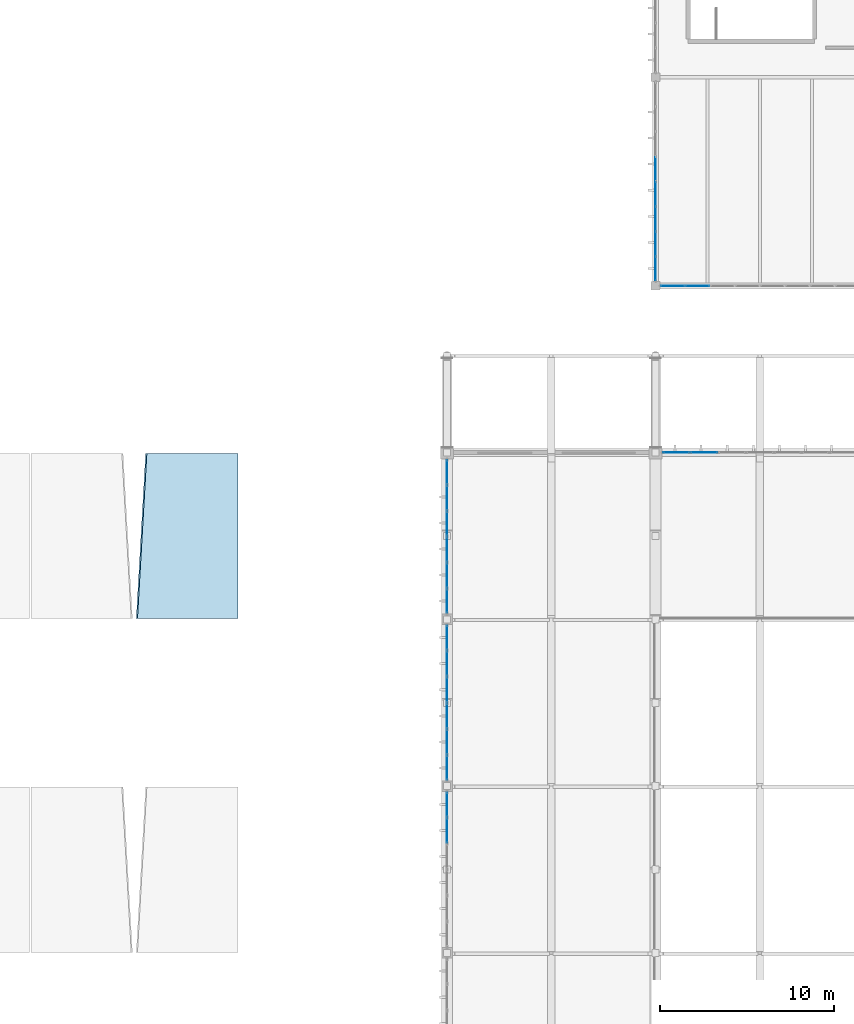
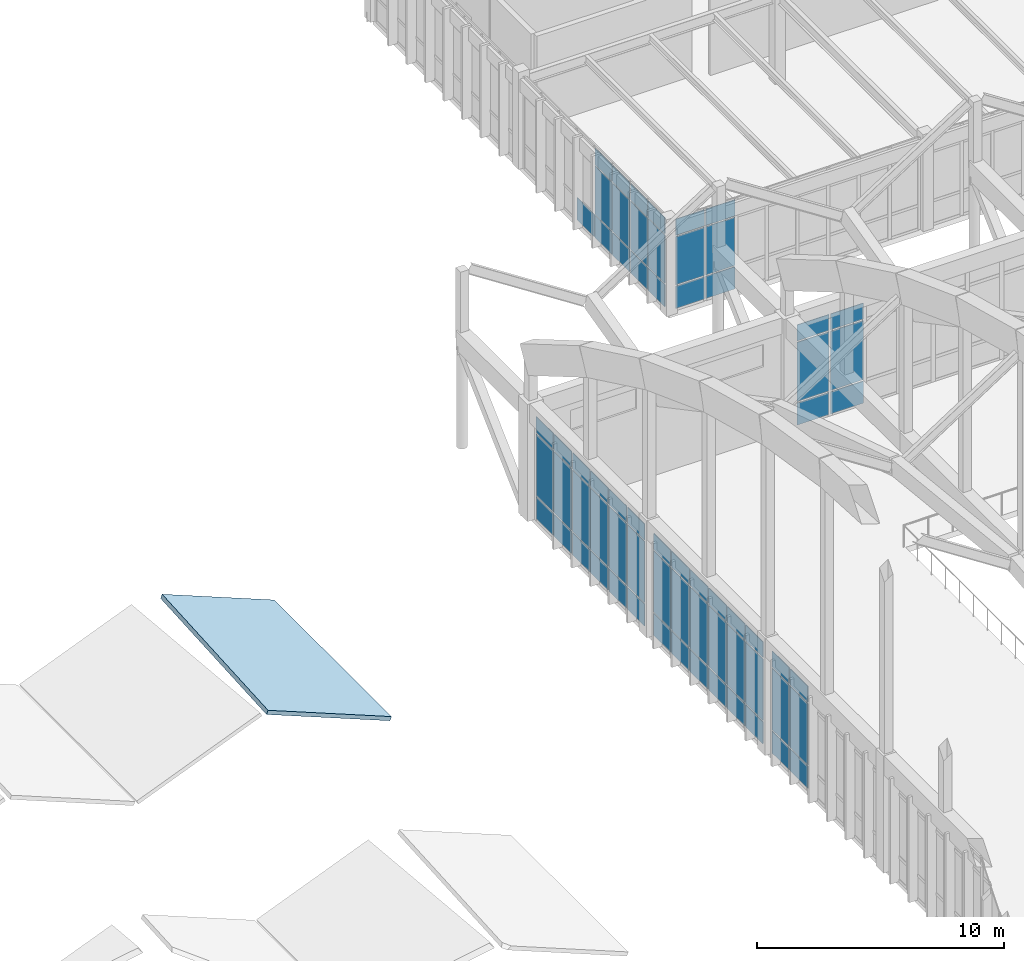
# One storey, part 193 of 236: 67 plates, 1 slab, 6 elements without a shape of their own.
"""IFC4 building model written with IfcOpenShell, lengths in metres."""

import ifcopenshell
import ifcopenshell.guid

model = None  # the IFC model being written
_history = None  # IfcOwnerHistory: only IFC2X3 demands one
_inside = {}  # id of a spatial element -> (the spatial element, [elements in it])
_under = {}  # id of a project, library or spatial element -> (it, [spatial elements below it])
_declared = {}  # id of a project -> (the project, [libraries it declares])
_typed = {}  # id of a type object -> (the type object, [elements of that type])
_made_of = {}  # id of a material, layer set ... -> (it, [elements and type objects made of it])


def new_model(schema):
    """Start an empty IFC model of exactly this schema.

    Asked for "IFC4X3", IfcOpenShell would pick the latest addendum, in which some entities
    have other attributes; the version numbers below select the first issue.
    IFC2X3 requires an IfcOwnerHistory on every rooted entity: one is made here for all.
    """
    global model, _history
    if schema == "IFC4X3":
        model = ifcopenshell.file(schema_version=(4, 3, 0, 0))
    else:
        model = ifcopenshell.file(schema=schema)
    _inside.clear()
    _under.clear()
    _declared.clear()
    _typed.clear()
    _made_of.clear()
    _history = None
    if model.schema == "IFC2X3":
        org = make("IfcOrganization", Name="unknown")
        user = make(
            "IfcPersonAndOrganization",
            ThePerson=make("IfcPerson", FamilyName="unknown"),
            TheOrganization=org,
        )
        app = make(
            "IfcApplication",
            ApplicationDeveloper=org,
            Version="unknown",
            ApplicationFullName="unknown",
            ApplicationIdentifier="unknown",
        )
        _history = make(
            "IfcOwnerHistory",
            OwningUser=user,
            OwningApplication=app,
            ChangeAction="ADDED",
            CreationDate=0,
        )
    return model


def make(cls, **values):
    """One entity of the class cls with the attributes given. An attribute that is None is left unset."""
    return model.create_entity(
        cls, **{name: value for name, value in values.items() if value is not None}
    )


def rooted(cls, **values):
    """An entity with a GlobalId (a new one), such as an element, a storey or a relation."""
    return make(cls, GlobalId=ifcopenshell.guid.new(), OwnerHistory=_history, **values)


def si_unit(unit_type, name, prefix=None):
    """IfcSIUnit, for example si_unit("LENGTHUNIT", "METRE", prefix="MILLI")."""
    return make("IfcSIUnit", UnitType=unit_type, Prefix=prefix, Name=name)


def assignment(units):
    """IfcUnitAssignment: the units of a project."""
    return None if units is None else make("IfcUnitAssignment", Units=units)


def point(xyz):
    """IfcCartesianPoint."""
    return None if xyz is None else make("IfcCartesianPoint", Coordinates=xyz)


def direction(xyz):
    """IfcDirection."""
    return None if xyz is None else make("IfcDirection", DirectionRatios=xyz)


def frame(location, z_axis=None, x_axis=None):
    """IfcAxis2Placement3D, a coordinate frame: its origin and axes. An axis left out is left unset."""
    return make(
        "IfcAxis2Placement3D",
        Location=point(location),
        Axis=direction(z_axis),
        RefDirection=direction(x_axis),
    )


def frame_2d(location, x_axis=None):
    """IfcAxis2Placement2D, a coordinate frame in the plane: its origin and x axis."""
    return make(
        "IfcAxis2Placement2D", Location=point(location), RefDirection=direction(x_axis)
    )


def origin():
    """The frame at (0, 0, 0) with its axes left unset."""
    return frame((0.0, 0.0, 0.0))


def origin_2d():
    """The frame at (0, 0) in the plane with its x axis left unset."""
    return frame_2d((0.0, 0.0))


def place(relative_to, where):
    """IfcLocalPlacement: puts the frame where relative to a parent placement (None: the world)."""
    return make(
        "IfcLocalPlacement", PlacementRelTo=relative_to, RelativePlacement=where
    )


def context(
    kind, dimensions, precision=None, world=None, true_north=None, identifier=None
):
    """IfcGeometricRepresentationContext, for example the 3D "Model" context."""
    return make(
        "IfcGeometricRepresentationContext",
        ContextIdentifier=identifier,
        ContextType=kind,
        CoordinateSpaceDimension=dimensions,
        Precision=precision,
        WorldCoordinateSystem=world,
        TrueNorth=true_north,
    )


def subcontext(parent, identifier, kind, view, scale=None):
    """IfcGeometricRepresentationSubContext, for example "Body" below "Model"."""
    return make(
        "IfcGeometricRepresentationSubContext",
        ContextIdentifier=identifier,
        ContextType=kind,
        ParentContext=parent,
        TargetScale=scale,
        TargetView=view,
    )


def project(units=None, contexts=None):
    """IfcProject with its units and contexts."""
    return rooted(
        "IfcProject",
        Name="project",
        RepresentationContexts=contexts,
        UnitsInContext=assignment(units),
    )


def spatial(cls, under=None, at=None, **own):
    """A site, building, storey or space (cls), placed at a placement, below another one or the project."""
    s = rooted(cls, ObjectPlacement=at, **own)
    if under is not None:
        _under.setdefault(under.id(), (under, []))[1].append(s)
    return s


def polyline(points):
    """IfcPolyline through the points."""
    return make("IfcPolyline", Points=[point(p) for p in points])


def profile(cls, at=None, kind="AREA", **sizes):
    """A parametric profile (cls). Its sizes go by their IFC names, for example OverallWidth=200.0."""
    return make(cls, ProfileType=kind, Position=at, **sizes)


def rectangle(**sizes):
    """IfcRectangleProfileDef."""
    return profile("IfcRectangleProfileDef", **sizes)


def outline(outer, holes=None, kind="AREA"):
    """IfcArbitraryClosedProfileDef: a profile drawn as a closed curve; with holes, ...WithVoids."""
    if holes is None:
        return make("IfcArbitraryClosedProfileDef", ProfileType=kind, OuterCurve=outer)
    return make(
        "IfcArbitraryProfileDefWithVoids",
        ProfileType=kind,
        OuterCurve=outer,
        InnerCurves=holes,
    )


def extrude(swept, where, along, depth):
    """IfcExtrudedAreaSolid: the profile swept, set in the frame where, extruded along a direction by depth."""
    return make(
        "IfcExtrudedAreaSolid",
        SweptArea=swept,
        Position=where,
        ExtrudedDirection=direction(along),
        Depth=depth,
    )


def shape(context_of_items, identifier, shape_type, items):
    """IfcShapeRepresentation: the items that make up one representation, for example the "Body"."""
    return make(
        "IfcShapeRepresentation",
        ContextOfItems=context_of_items,
        RepresentationIdentifier=identifier,
        RepresentationType=shape_type,
        Items=items,
    )


def material(Name=None, Category=None):
    """IfcMaterial."""
    return make("IfcMaterial", Name=Name, Category=Category)


def layer(
    of_material, thickness, ventilated=None, Name=None, Category=None, Priority=None
):
    """IfcMaterialLayer: one layer of a wall or slab, of a material (None: an air gap)."""
    return make(
        "IfcMaterialLayer",
        Material=of_material,
        LayerThickness=thickness,
        IsVentilated=ventilated,
        Name=Name,
        Category=Category,
        Priority=Priority,
    )


def layer_set(layers, Name=None):
    """IfcMaterialLayerSet."""
    return make("IfcMaterialLayerSet", MaterialLayers=layers, LayerSetName=Name)


def made_of(thing, what):
    """Note that an element or type object is made of a material, layer set ...; save() writes the relation."""
    if what is not None:
        _made_of.setdefault(what.id(), (what, []))[1].append(thing)
    return thing


def type_object(cls, material=None, **own):
    """A type object (cls), such as IfcWallType, which elements share."""
    return made_of(rooted(cls, **own), material)


def element(
    cls,
    number,
    at=None,
    inside=None,
    cuts=None,
    type_object=None,
    material=None,
    context=None,
    identifier="Body",
    shape_type=None,
    held_by="IfcProductDefinitionShape",
    body=None,
    shapes=None,
    **own,
):
    """One element of the class cls, such as IfcWall. Its Tag is "e" and its number.

    at: its placement. inside: the storey or other place that contains it. cuts: it is an
    opening in that element (IfcRelVoidsElement). A single representation is given by context,
    identifier, shape_type and body (its items); several are given by shapes. held_by: the class
    of the entity that holds the representations. save() writes the other relations.
    """
    e = rooted(cls, Tag="e%d" % number, ObjectPlacement=at, **own)
    if body is not None:
        shapes = [shape(context, identifier, shape_type, body)]
    if shapes is not None:
        e.Representation = make(held_by, Representations=shapes)
    if inside is not None:
        _inside.setdefault(inside.id(), (inside, []))[1].append(e)
    if cuts is not None:
        rooted(
            "IfcRelVoidsElement", RelatingBuildingElement=cuts, RelatedOpeningElement=e
        )
    if type_object is not None:
        _typed.setdefault(type_object.id(), (type_object, []))[1].append(e)
    return made_of(e, material)


def aggregate(whole, parts):
    """IfcRelAggregates: a whole, such as a stair, and the parts it consists of."""
    return rooted("IfcRelAggregates", RelatingObject=whole, RelatedObjects=parts)


def save(model, path):
    """Write the relations noted so far, then the file.

    IfcRelAggregates (storeys below a building ...), IfcRelContainedInSpatialStructure (elements
    in a storey), IfcRelDefinesByType, IfcRelAssociatesMaterial and IfcRelDeclares: one each for
    every whole, place, type object, material and project.
    """
    for whole, parts in _under.values():
        aggregate(whole, parts)
    for where, things in _inside.values():
        rooted(
            "IfcRelContainedInSpatialStructure",
            RelatedElements=things,
            RelatingStructure=where,
        )
    for kind, things in _typed.values():
        rooted("IfcRelDefinesByType", RelatedObjects=things, RelatingType=kind)
    for what, things in _made_of.values():
        rooted("IfcRelAssociatesMaterial", RelatedObjects=things, RelatingMaterial=what)
    for by, libraries in _declared.values():
        rooted("IfcRelDeclares", RelatingContext=by, RelatedDefinitions=libraries)
    model.write(path)


model = new_model("IFC4")

# Units and contexts
model_context = context("Model", 3, precision=1e-05, world=origin(), true_north=direction((0.0, 1.0)))
body_context = subcontext(model_context, "Body", "Model", "MODEL_VIEW")
ifc_project = project(units=[si_unit("LENGTHUNIT", "METRE"), si_unit("AREAUNIT", "SQUARE_METRE"), si_unit("VOLUMEUNIT", "CUBIC_METRE"), si_unit("PLANEANGLEUNIT", "RADIAN"), si_unit("MASSUNIT", "GRAM", prefix="KILO")], contexts=[model_context])

# Site, building, storey
site_placement = place(None, origin())
site = spatial("IfcSite", under=ifc_project, at=site_placement, CompositionType="ELEMENT")
building_placement = place(site_placement, origin())
building = spatial("IfcBuilding", under=site, at=building_placement, Name="Pandanus Reach Market Hall", CompositionType="ELEMENT")
storey_placement = place(building_placement, frame((0.0, 0.0, 5.39990234375)))
storey = spatial("IfcBuildingStorey", under=building, at=storey_placement, Name="L01", CompositionType="ELEMENT", Elevation=5.39990234375)

# Curtain wall, plates
ifc_material_1 = material(Name="Bronze anodised aluminium and low-E glass", Category="aluminium")
ifc_layer_1 = layer(ifc_material_1, 0.159912109375, Name="CW-38")
ifc_layer_set_1 = layer_set([ifc_layer_1], Name="Bronze anodised aluminium and low-E glass")
curtain_wall_type_1 = type_object("IfcCurtainWallType", Name="CW-38", PredefinedType="NOTDEFINED", material=ifc_layer_set_1)
curtain_wall_1_placement = place(storey_placement, origin())
curtain_wall_1 = element("IfcCurtainWall", 1, at=curtain_wall_1_placement, inside=storey, type_object=curtain_wall_type_1, Name="Glazed curtain wall CW-38 CW-0135", PredefinedType="NOTDEFINED")
ifc_material_2 = material(Name="Solar-control double glazing", Category="glass")
ifc_layer_2 = layer(ifc_material_2, 0.028076171875, Name="CW-P1")
ifc_layer_set_2 = layer_set([ifc_layer_2], Name="Solar-control double glazing")
plate_type_1 = type_object("IfcPlateType", Name="CW-P1", PredefinedType="CURTAIN_PANEL", material=ifc_layer_set_2)
plate_1_placement = place(storey_placement, frame((60.985107421875, 96.0, 0.065185546875), z_axis=(0.0, 0.0, 1.0), x_axis=(1.0, 0.0, 0.0)))
plate_1 = element("IfcPlate", 2, at=plate_1_placement, type_object=plate_type_1, Name="CW-38 panel 1.1", PredefinedType="CURTAIN_PANEL", context=body_context, shape_type="SweptSolid", body=[
    extrude(rectangle(XDim=1.340087890625, YDim=0.028076171875, at=origin_2d()), origin(), (0.0, 0.0, 1.0), 1.1025390625),
])
plate_2_placement = place(storey_placement, frame((60.985107421875, 96.0, 1.232421875), z_axis=(0.0, 0.0, 1.0), x_axis=(1.0, 0.0, 0.0)))
plate_2 = element("IfcPlate", 3, at=plate_2_placement, type_object=plate_type_1, Name="CW-38 panel 1.2", PredefinedType="CURTAIN_PANEL", context=body_context, shape_type="SweptSolid", body=[
    extrude(rectangle(XDim=1.340087890625, YDim=0.028076171875, at=origin_2d()), origin(), (0.0, 0.0, 1.0), 2.385009765625),
])
plate_3_placement = place(storey_placement, frame((60.985107421875, 96.0, 3.6826171875), z_axis=(0.0, 0.0, 1.0), x_axis=(1.0, 0.0, 0.0)))
plate_3 = element("IfcPlate", 4, at=plate_3_placement, type_object=plate_type_1, Name="CW-38 panel 1.3", PredefinedType="CURTAIN_PANEL", context=body_context, shape_type="SweptSolid", body=[
    extrude(rectangle(XDim=1.340087890625, YDim=0.028076171875, at=origin_2d()), origin(), (0.0, 0.0, 1.0), 0.802490234375),
])
plate_4_placement = place(storey_placement, frame((62.40625, 96.0, 0.065185546875), z_axis=(0.0, 0.0, 1.0), x_axis=(1.0, 0.0, 0.0)))
plate_4 = element("IfcPlate", 5, at=plate_4_placement, type_object=plate_type_1, Name="CW-38 panel 2.1", PredefinedType="CURTAIN_PANEL", context=body_context, shape_type="SweptSolid", body=[
    extrude(rectangle(XDim=1.37255859375, YDim=0.028076171875, at=origin_2d()), origin(), (0.0, 0.0, 1.0), 1.1025390625),
])
plate_5_placement = place(storey_placement, frame((62.40625, 96.0, 1.232421875), z_axis=(0.0, 0.0, 1.0), x_axis=(1.0, 0.0, 0.0)))
plate_5 = element("IfcPlate", 6, at=plate_5_placement, type_object=plate_type_1, Name="CW-38 panel 2.2", PredefinedType="CURTAIN_PANEL", context=body_context, shape_type="SweptSolid", body=[
    extrude(rectangle(XDim=1.37255859375, YDim=0.028076171875, at=origin_2d()), origin(), (0.0, 0.0, 1.0), 2.385009765625),
])
plate_6_placement = place(storey_placement, frame((62.40625, 96.0, 3.6826171875), z_axis=(0.0, 0.0, 1.0), x_axis=(1.0, 0.0, 0.0)))
plate_6 = element("IfcPlate", 7, at=plate_6_placement, type_object=plate_type_1, Name="CW-38 panel 2.3", PredefinedType="CURTAIN_PANEL", context=body_context, shape_type="SweptSolid", body=[
    extrude(rectangle(XDim=1.37255859375, YDim=0.028076171875, at=origin_2d()), origin(), (0.0, 0.0, 1.0), 0.802490234375),
])
aggregate(curtain_wall_1, [plate_1, plate_2, plate_3, plate_4, plate_5, plate_6])

curtain_wall_2_placement = place(storey_placement, origin())
curtain_wall_2 = element("IfcCurtainWall", 8, at=curtain_wall_2_placement, inside=storey, type_object=curtain_wall_type_1, Name="Glazed curtain wall CW-38 CW-0148", PredefinedType="NOTDEFINED")
plate_7_placement = place(storey_placement, frame((60.0, 96.985107421875, 0.065185546875), z_axis=(0.0, 0.0, 1.0), x_axis=(0.0, 1.0, 0.0)))
plate_7 = element("IfcPlate", 9, at=plate_7_placement, type_object=plate_type_1, Name="CW-38 panel 1.1", PredefinedType="CURTAIN_PANEL", context=body_context, shape_type="SweptSolid", body=[
    extrude(rectangle(XDim=1.340087890625, YDim=0.028076171875, at=origin_2d()), origin(), (0.0, 0.0, 1.0), 1.1025390625),
])
plate_8_placement = place(storey_placement, frame((60.0, 96.985107421875, 1.232421875), z_axis=(0.0, 0.0, 1.0), x_axis=(0.0, 1.0, 0.0)))
plate_8 = element("IfcPlate", 10, at=plate_8_placement, type_object=plate_type_1, Name="CW-38 panel 1.2", PredefinedType="CURTAIN_PANEL", context=body_context, shape_type="SweptSolid", body=[
    extrude(rectangle(XDim=1.340087890625, YDim=0.028076171875, at=origin_2d()), origin(), (0.0, 0.0, 1.0), 2.385009765625),
])
plate_9_placement = place(storey_placement, frame((60.0, 96.985107421875, 3.6826171875), z_axis=(0.0, 0.0, 1.0), x_axis=(0.0, 1.0, 0.0)))
plate_9 = element("IfcPlate", 11, at=plate_9_placement, type_object=plate_type_1, Name="CW-38 panel 1.3", PredefinedType="CURTAIN_PANEL", context=body_context, shape_type="SweptSolid", body=[
    extrude(rectangle(XDim=1.340087890625, YDim=0.028076171875, at=origin_2d()), origin(), (0.0, 0.0, 1.0), 0.802490234375),
])
plate_10_placement = place(storey_placement, frame((60.0, 98.40625, 0.065185546875), z_axis=(0.0, 0.0, 1.0), x_axis=(0.0, 1.0, 0.0)))
plate_10 = element("IfcPlate", 12, at=plate_10_placement, type_object=plate_type_1, Name="CW-38 panel 2.1", PredefinedType="CURTAIN_PANEL", context=body_context, shape_type="SweptSolid", body=[
    extrude(rectangle(XDim=1.37255859375, YDim=0.028076171875, at=origin_2d()), origin(), (0.0, 0.0, 1.0), 1.1025390625),
])
plate_11_placement = place(storey_placement, frame((60.0, 98.40625, 1.232421875), z_axis=(0.0, 0.0, 1.0), x_axis=(0.0, 1.0, 0.0)))
plate_11 = element("IfcPlate", 13, at=plate_11_placement, type_object=plate_type_1, Name="CW-38 panel 2.2", PredefinedType="CURTAIN_PANEL", context=body_context, shape_type="SweptSolid", body=[
    extrude(rectangle(XDim=1.37255859375, YDim=0.028076171875, at=origin_2d()), origin(), (0.0, 0.0, 1.0), 2.385009765625),
])
plate_12_placement = place(storey_placement, frame((60.0, 98.40625, 3.6826171875), z_axis=(0.0, 0.0, 1.0), x_axis=(0.0, 1.0, 0.0)))
plate_12 = element("IfcPlate", 14, at=plate_12_placement, type_object=plate_type_1, Name="CW-38 panel 2.3", PredefinedType="CURTAIN_PANEL", context=body_context, shape_type="SweptSolid", body=[
    extrude(rectangle(XDim=1.37255859375, YDim=0.028076171875, at=origin_2d()), origin(), (0.0, 0.0, 1.0), 0.802490234375),
])
plate_13_placement = place(storey_placement, frame((60.0, 99.84375, 0.065185546875), z_axis=(0.0, 0.0, 1.0), x_axis=(0.0, 1.0, 0.0)))
plate_13 = element("IfcPlate", 15, at=plate_13_placement, type_object=plate_type_1, Name="CW-38 panel 3.1", PredefinedType="CURTAIN_PANEL", context=body_context, shape_type="SweptSolid", body=[
    extrude(rectangle(XDim=1.37255859375, YDim=0.028076171875, at=origin_2d()), origin(), (0.0, 0.0, 1.0), 1.1025390625),
])
plate_14_placement = place(storey_placement, frame((60.0, 99.84375, 1.232421875), z_axis=(0.0, 0.0, 1.0), x_axis=(0.0, 1.0, 0.0)))
plate_14 = element("IfcPlate", 16, at=plate_14_placement, type_object=plate_type_1, Name="CW-38 panel 3.2", PredefinedType="CURTAIN_PANEL", context=body_context, shape_type="SweptSolid", body=[
    extrude(rectangle(XDim=1.37255859375, YDim=0.028076171875, at=origin_2d()), origin(), (0.0, 0.0, 1.0), 2.385009765625),
])
plate_15_placement = place(storey_placement, frame((60.0, 99.84375, 3.6826171875), z_axis=(0.0, 0.0, 1.0), x_axis=(0.0, 1.0, 0.0)))
plate_15 = element("IfcPlate", 17, at=plate_15_placement, type_object=plate_type_1, Name="CW-38 panel 3.3", PredefinedType="CURTAIN_PANEL", context=body_context, shape_type="SweptSolid", body=[
    extrude(rectangle(XDim=1.37255859375, YDim=0.028076171875, at=origin_2d()), origin(), (0.0, 0.0, 1.0), 0.802490234375),
])
plate_16_placement = place(storey_placement, frame((60.0, 101.28125, 0.065185546875), z_axis=(0.0, 0.0, 1.0), x_axis=(0.0, 1.0, 0.0)))
plate_16 = element("IfcPlate", 18, at=plate_16_placement, type_object=plate_type_1, Name="CW-38 panel 4.1", PredefinedType="CURTAIN_PANEL", context=body_context, shape_type="SweptSolid", body=[
    extrude(rectangle(XDim=1.37255859375, YDim=0.028076171875, at=origin_2d()), origin(), (0.0, 0.0, 1.0), 1.1025390625),
])
plate_17_placement = place(storey_placement, frame((60.0, 101.28125, 1.232421875), z_axis=(0.0, 0.0, 1.0), x_axis=(0.0, 1.0, 0.0)))
plate_17 = element("IfcPlate", 19, at=plate_17_placement, type_object=plate_type_1, Name="CW-38 panel 4.2", PredefinedType="CURTAIN_PANEL", context=body_context, shape_type="SweptSolid", body=[
    extrude(rectangle(XDim=1.37255859375, YDim=0.028076171875, at=origin_2d()), origin(), (0.0, 0.0, 1.0), 2.385009765625),
])
plate_18_placement = place(storey_placement, frame((60.0, 101.28125, 3.6826171875), z_axis=(0.0, 0.0, 1.0), x_axis=(0.0, 1.0, 0.0)))
plate_18 = element("IfcPlate", 20, at=plate_18_placement, type_object=plate_type_1, Name="CW-38 panel 4.3", PredefinedType="CURTAIN_PANEL", context=body_context, shape_type="SweptSolid", body=[
    extrude(rectangle(XDim=1.37255859375, YDim=0.028076171875, at=origin_2d()), origin(), (0.0, 0.0, 1.0), 0.802490234375),
])
plate_19_placement = place(storey_placement, frame((60.0, 102.71875, 0.065185546875), z_axis=(0.0, 0.0, 1.0), x_axis=(0.0, 1.0, 0.0)))
plate_19 = element("IfcPlate", 21, at=plate_19_placement, type_object=plate_type_1, Name="CW-38 panel 5.1", PredefinedType="CURTAIN_PANEL", context=body_context, shape_type="SweptSolid", body=[
    extrude(rectangle(XDim=1.37255859375, YDim=0.028076171875, at=origin_2d()), origin(), (0.0, 0.0, 1.0), 1.1025390625),
])
aggregate(curtain_wall_2, [plate_7, plate_8, plate_9, plate_10, plate_11, plate_12, plate_13, plate_14, plate_15, plate_16, plate_17, plate_18, plate_19])

ifc_layer_3 = layer(ifc_material_1, 0.199951171875, Name="CW-02")
ifc_layer_set_3 = layer_set([ifc_layer_3], Name="Bronze anodised aluminium and low-E glass")
curtain_wall_type_2 = type_object("IfcCurtainWallType", Name="CW-02", PredefinedType="NOTDEFINED", material=ifc_layer_set_3)
curtain_wall_3_placement = place(storey_placement, origin())
curtain_wall_3 = element("IfcCurtainWall", 22, at=curtain_wall_3_placement, inside=storey, type_object=curtain_wall_type_2, Name="Glazed curtain wall CW-02 CW-0010", PredefinedType="NOTDEFINED")
ifc_material_3 = material(Name="Acoustic laminated solar double glazing", Category="glass")
ifc_layer_4 = layer(ifc_material_3, 0.031982421875, Name="CW-P2")
ifc_layer_set_4 = layer_set([ifc_layer_4], Name="Acoustic laminated solar double glazing")
plate_type_2 = type_object("IfcPlateType", Name="CW-P2", PredefinedType="CURTAIN_PANEL", material=ifc_layer_set_4)
plate_20_placement = place(storey_placement, frame((61.197265625, 86.39990234375, 0.0751953125), z_axis=(0.0, 0.0, 1.0), x_axis=(1.0, 0.0, 0.0)))
plate_20 = element("IfcPlate", 23, at=plate_20_placement, type_object=plate_type_2, Name="CW-02 panel 1.1", PredefinedType="CURTAIN_PANEL", context=body_context, shape_type="SweptSolid", body=[
    extrude(rectangle(XDim=1.49462890625, YDim=0.031982421875, at=origin_2d()), origin(), (0.0, 0.0, 1.0), 1.08740234375),
])
plate_21_placement = place(storey_placement, frame((61.197265625, 86.39990234375, 1.23779296875), z_axis=(0.0, 0.0, 1.0), x_axis=(1.0, 0.0, 0.0)))
plate_21 = element("IfcPlate", 24, at=plate_21_placement, type_object=plate_type_2, Name="CW-02 panel 1.2", PredefinedType="CURTAIN_PANEL", context=body_context, shape_type="SweptSolid", body=[
    extrude(rectangle(XDim=1.49462890625, YDim=0.031982421875, at=origin_2d()), origin(), (0.0, 0.0, 1.0), 2.925048828125),
])
plate_22_placement = place(storey_placement, frame((61.197265625, 86.39990234375, 4.237548828125), z_axis=(0.0, 0.0, 1.0), x_axis=(1.0, 0.0, 0.0)))
plate_22 = element("IfcPlate", 25, at=plate_22_placement, type_object=plate_type_2, Name="CW-02 panel 1.3", PredefinedType="CURTAIN_PANEL", context=body_context, shape_type="SweptSolid", body=[
    extrude(rectangle(XDim=1.49462890625, YDim=0.031982421875, at=origin_2d()), origin(), (0.0, 0.0, 1.0), 0.78759765625),
])
plate_23_placement = place(storey_placement, frame((62.78564453125, 86.39990234375, 0.0751953125), z_axis=(0.0, 0.0, 1.0), x_axis=(1.0, 0.0, 0.0)))
plate_23 = element("IfcPlate", 26, at=plate_23_placement, type_object=plate_type_2, Name="CW-02 panel 2.1", PredefinedType="CURTAIN_PANEL", context=body_context, shape_type="SweptSolid", body=[
    extrude(rectangle(XDim=1.5322265625, YDim=0.031982421875, at=origin_2d()), origin(), (0.0, 0.0, 1.0), 1.08740234375),
])
plate_24_placement = place(storey_placement, frame((62.78564453125, 86.39990234375, 1.23779296875), z_axis=(0.0, 0.0, 1.0), x_axis=(1.0, 0.0, 0.0)))
plate_24 = element("IfcPlate", 27, at=plate_24_placement, type_object=plate_type_2, Name="CW-02 panel 2.2", PredefinedType="CURTAIN_PANEL", context=body_context, shape_type="SweptSolid", body=[
    extrude(rectangle(XDim=1.5322265625, YDim=0.031982421875, at=origin_2d()), origin(), (0.0, 0.0, 1.0), 2.925048828125),
])
plate_25_placement = place(storey_placement, frame((62.78564453125, 86.39990234375, 4.237548828125), z_axis=(0.0, 0.0, 1.0), x_axis=(1.0, 0.0, 0.0)))
plate_25 = element("IfcPlate", 28, at=plate_25_placement, type_object=plate_type_2, Name="CW-02 panel 2.3", PredefinedType="CURTAIN_PANEL", context=body_context, shape_type="SweptSolid", body=[
    extrude(rectangle(XDim=1.5322265625, YDim=0.031982421875, at=origin_2d()), origin(), (0.0, 0.0, 1.0), 0.78759765625),
])
aggregate(curtain_wall_3, [plate_20, plate_21, plate_22, plate_23, plate_24, plate_25])

ifc_layer_5 = layer(ifc_material_1, 0.199951171875, Name="CW-05")
ifc_layer_set_5 = layer_set([ifc_layer_5], Name="Bronze anodised aluminium and low-E glass")
curtain_wall_type_3 = type_object("IfcCurtainWallType", Name="CW-05", PredefinedType="NOTDEFINED", material=ifc_layer_set_5)
curtain_wall_4_placement = place(storey_placement, origin())
curtain_wall_4 = element("IfcCurtainWall", 29, at=curtain_wall_4_placement, inside=storey, type_object=curtain_wall_type_3, Name="Glazed curtain wall CW-05 CW-0029", PredefinedType="NOTDEFINED")
plate_26_placement = place(storey_placement, frame((48.0, 64.64990234375, 0.0751953125), z_axis=(0.0, 0.0, 1.0), x_axis=(0.0, 1.0, 0.0)))
plate_26 = element("IfcPlate", 30, at=plate_26_placement, type_object=plate_type_2, Name="CW-05 panel 5.1", PredefinedType="CURTAIN_PANEL", context=body_context, shape_type="SweptSolid", body=[
    extrude(rectangle(XDim=1.425048828125, YDim=0.031982421875, at=origin_2d()), origin(), (0.0, 0.0, 1.0), 1.08740234375),
])
plate_27_placement = place(storey_placement, frame((48.0, 64.64990234375, 1.237548828125), z_axis=(0.0, 0.0, 1.0), x_axis=(0.0, 1.0, 0.0)))
plate_27 = element("IfcPlate", 31, at=plate_27_placement, type_object=plate_type_2, Name="CW-05 panel 5.2", PredefinedType="CURTAIN_PANEL", context=body_context, shape_type="SweptSolid", body=[
    extrude(rectangle(XDim=1.425048828125, YDim=0.031982421875, at=origin_2d()), origin(), (0.0, 0.0, 1.0), 3.02490234375),
])
plate_28_placement = place(storey_placement, frame((48.0, 64.64990234375, 4.337646484375), z_axis=(0.0, 0.0, 1.0), x_axis=(0.0, 1.0, 0.0)))
plate_28 = element("IfcPlate", 32, at=plate_28_placement, type_object=plate_type_2, Name="CW-05 panel 5.3", PredefinedType="CURTAIN_PANEL", context=body_context, shape_type="SweptSolid", body=[
    extrude(rectangle(XDim=1.425048828125, YDim=0.031982421875, at=origin_2d()), origin(), (0.0, 0.0, 1.0), 0.78759765625),
])
plate_29_placement = place(storey_placement, frame((48.0, 66.13134765625, 0.0751953125), z_axis=(0.0, 0.0, 1.0), x_axis=(0.0, 1.0, 0.0)))
plate_29 = element("IfcPlate", 33, at=plate_29_placement, type_object=plate_type_2, Name="CW-05 panel 6.1", PredefinedType="CURTAIN_PANEL", context=body_context, shape_type="SweptSolid", body=[
    extrude(rectangle(XDim=1.387451171875, YDim=0.031982421875, at=origin_2d()), origin(), (0.0, 0.0, 1.0), 1.08740234375),
])
plate_30_placement = place(storey_placement, frame((48.0, 66.13134765625, 1.237548828125), z_axis=(0.0, 0.0, 1.0), x_axis=(0.0, 1.0, 0.0)))
plate_30 = element("IfcPlate", 34, at=plate_30_placement, type_object=plate_type_2, Name="CW-05 panel 6.2", PredefinedType="CURTAIN_PANEL", context=body_context, shape_type="SweptSolid", body=[
    extrude(rectangle(XDim=1.387451171875, YDim=0.031982421875, at=origin_2d()), origin(), (0.0, 0.0, 1.0), 3.02490234375),
])
plate_31_placement = place(storey_placement, frame((48.0, 66.13134765625, 4.337646484375), z_axis=(0.0, 0.0, 1.0), x_axis=(0.0, 1.0, 0.0)))
plate_31 = element("IfcPlate", 35, at=plate_31_placement, type_object=plate_type_2, Name="CW-05 panel 6.3", PredefinedType="CURTAIN_PANEL", context=body_context, shape_type="SweptSolid", body=[
    extrude(rectangle(XDim=1.387451171875, YDim=0.031982421875, at=origin_2d()), origin(), (0.0, 0.0, 1.0), 0.78759765625),
])
aggregate(curtain_wall_4, [plate_26, plate_27, plate_28, plate_29, plate_30, plate_31])

curtain_wall_5_placement = place(storey_placement, origin())
curtain_wall_5 = element("IfcCurtainWall", 36, at=curtain_wall_5_placement, inside=storey, type_object=curtain_wall_type_3, Name="Glazed curtain wall CW-05 CW-0032", PredefinedType="NOTDEFINED")
plate_32_placement = place(storey_placement, frame((48.0, 68.268798828125, 0.0751953125), z_axis=(0.0, 0.0, 1.0), x_axis=(0.0, 1.0, 0.0)))
plate_32 = element("IfcPlate", 37, at=plate_32_placement, type_object=plate_type_2, Name="CW-05 panel 1.1", PredefinedType="CURTAIN_PANEL", context=body_context, shape_type="SweptSolid", body=[
    extrude(rectangle(XDim=1.387451171875, YDim=0.031982421875, at=origin_2d()), origin(), (0.0, 0.0, 1.0), 1.08740234375),
])
plate_33_placement = place(storey_placement, frame((48.0, 68.268798828125, 1.237548828125), z_axis=(0.0, 0.0, 1.0), x_axis=(0.0, 1.0, 0.0)))
plate_33 = element("IfcPlate", 38, at=plate_33_placement, type_object=plate_type_2, Name="CW-05 panel 1.2", PredefinedType="CURTAIN_PANEL", context=body_context, shape_type="SweptSolid", body=[
    extrude(rectangle(XDim=1.387451171875, YDim=0.031982421875, at=origin_2d()), origin(), (0.0, 0.0, 1.0), 3.02490234375),
])
plate_34_placement = place(storey_placement, frame((48.0, 68.268798828125, 4.337646484375), z_axis=(0.0, 0.0, 1.0), x_axis=(0.0, 1.0, 0.0)))
plate_34 = element("IfcPlate", 39, at=plate_34_placement, type_object=plate_type_2, Name="CW-05 panel 1.3", PredefinedType="CURTAIN_PANEL", context=body_context, shape_type="SweptSolid", body=[
    extrude(rectangle(XDim=1.387451171875, YDim=0.031982421875, at=origin_2d()), origin(), (0.0, 0.0, 1.0), 0.78759765625),
])
plate_35_placement = place(storey_placement, frame((48.0, 69.75, 0.0751953125), z_axis=(0.0, 0.0, 1.0), x_axis=(0.0, 1.0, 0.0)))
plate_35 = element("IfcPlate", 40, at=plate_35_placement, type_object=plate_type_2, Name="CW-05 panel 2.1", PredefinedType="CURTAIN_PANEL", context=body_context, shape_type="SweptSolid", body=[
    extrude(rectangle(XDim=1.425048828125, YDim=0.031982421875, at=origin_2d()), origin(), (0.0, 0.0, 1.0), 1.08740234375),
])
plate_36_placement = place(storey_placement, frame((48.0, 69.75, 1.237548828125), z_axis=(0.0, 0.0, 1.0), x_axis=(0.0, 1.0, 0.0)))
plate_36 = element("IfcPlate", 41, at=plate_36_placement, type_object=plate_type_2, Name="CW-05 panel 2.2", PredefinedType="CURTAIN_PANEL", context=body_context, shape_type="SweptSolid", body=[
    extrude(rectangle(XDim=1.425048828125, YDim=0.031982421875, at=origin_2d()), origin(), (0.0, 0.0, 1.0), 3.02490234375),
])
plate_37_placement = place(storey_placement, frame((48.0, 69.75, 4.337646484375), z_axis=(0.0, 0.0, 1.0), x_axis=(0.0, 1.0, 0.0)))
plate_37 = element("IfcPlate", 42, at=plate_37_placement, type_object=plate_type_2, Name="CW-05 panel 2.3", PredefinedType="CURTAIN_PANEL", context=body_context, shape_type="SweptSolid", body=[
    extrude(rectangle(XDim=1.425048828125, YDim=0.031982421875, at=origin_2d()), origin(), (0.0, 0.0, 1.0), 0.78759765625),
])
plate_38_placement = place(storey_placement, frame((48.0, 71.25, 0.0751953125), z_axis=(0.0, 0.0, 1.0), x_axis=(0.0, 1.0, 0.0)))
plate_38 = element("IfcPlate", 43, at=plate_38_placement, type_object=plate_type_2, Name="CW-05 panel 3.1", PredefinedType="CURTAIN_PANEL", context=body_context, shape_type="SweptSolid", body=[
    extrude(rectangle(XDim=1.425048828125, YDim=0.031982421875, at=origin_2d()), origin(), (0.0, 0.0, 1.0), 1.08740234375),
])
plate_39_placement = place(storey_placement, frame((48.0, 71.25, 1.237548828125), z_axis=(0.0, 0.0, 1.0), x_axis=(0.0, 1.0, 0.0)))
plate_39 = element("IfcPlate", 44, at=plate_39_placement, type_object=plate_type_2, Name="CW-05 panel 3.2", PredefinedType="CURTAIN_PANEL", context=body_context, shape_type="SweptSolid", body=[
    extrude(rectangle(XDim=1.425048828125, YDim=0.031982421875, at=origin_2d()), origin(), (0.0, 0.0, 1.0), 3.02490234375),
])
plate_40_placement = place(storey_placement, frame((48.0, 71.25, 4.337646484375), z_axis=(0.0, 0.0, 1.0), x_axis=(0.0, 1.0, 0.0)))
plate_40 = element("IfcPlate", 45, at=plate_40_placement, type_object=plate_type_2, Name="CW-05 panel 3.3", PredefinedType="CURTAIN_PANEL", context=body_context, shape_type="SweptSolid", body=[
    extrude(rectangle(XDim=1.425048828125, YDim=0.031982421875, at=origin_2d()), origin(), (0.0, 0.0, 1.0), 0.78759765625),
])
plate_41_placement = place(storey_placement, frame((48.0, 72.75, 0.0751953125), z_axis=(0.0, 0.0, 1.0), x_axis=(0.0, 1.0, 0.0)))
plate_41 = element("IfcPlate", 46, at=plate_41_placement, type_object=plate_type_2, Name="CW-05 panel 4.1", PredefinedType="CURTAIN_PANEL", context=body_context, shape_type="SweptSolid", body=[
    extrude(rectangle(XDim=1.425048828125, YDim=0.031982421875, at=origin_2d()), origin(), (0.0, 0.0, 1.0), 1.08740234375),
])
plate_42_placement = place(storey_placement, frame((48.0, 72.75, 1.237548828125), z_axis=(0.0, 0.0, 1.0), x_axis=(0.0, 1.0, 0.0)))
plate_42 = element("IfcPlate", 47, at=plate_42_placement, type_object=plate_type_2, Name="CW-05 panel 4.2", PredefinedType="CURTAIN_PANEL", context=body_context, shape_type="SweptSolid", body=[
    extrude(rectangle(XDim=1.425048828125, YDim=0.031982421875, at=origin_2d()), origin(), (0.0, 0.0, 1.0), 3.02490234375),
])
plate_43_placement = place(storey_placement, frame((48.0, 72.75, 4.337646484375), z_axis=(0.0, 0.0, 1.0), x_axis=(0.0, 1.0, 0.0)))
plate_43 = element("IfcPlate", 48, at=plate_43_placement, type_object=plate_type_2, Name="CW-05 panel 4.3", PredefinedType="CURTAIN_PANEL", context=body_context, shape_type="SweptSolid", body=[
    extrude(rectangle(XDim=1.425048828125, YDim=0.031982421875, at=origin_2d()), origin(), (0.0, 0.0, 1.0), 0.78759765625),
])
plate_44_placement = place(storey_placement, frame((48.0, 74.25, 0.0751953125), z_axis=(0.0, 0.0, 1.0), x_axis=(0.0, 1.0, 0.0)))
plate_44 = element("IfcPlate", 49, at=plate_44_placement, type_object=plate_type_2, Name="CW-05 panel 5.1", PredefinedType="CURTAIN_PANEL", context=body_context, shape_type="SweptSolid", body=[
    extrude(rectangle(XDim=1.425048828125, YDim=0.031982421875, at=origin_2d()), origin(), (0.0, 0.0, 1.0), 1.08740234375),
])
plate_45_placement = place(storey_placement, frame((48.0, 74.25, 1.237548828125), z_axis=(0.0, 0.0, 1.0), x_axis=(0.0, 1.0, 0.0)))
plate_45 = element("IfcPlate", 50, at=plate_45_placement, type_object=plate_type_2, Name="CW-05 panel 5.2", PredefinedType="CURTAIN_PANEL", context=body_context, shape_type="SweptSolid", body=[
    extrude(rectangle(XDim=1.425048828125, YDim=0.031982421875, at=origin_2d()), origin(), (0.0, 0.0, 1.0), 3.02490234375),
])
plate_46_placement = place(storey_placement, frame((48.0, 74.25, 4.337646484375), z_axis=(0.0, 0.0, 1.0), x_axis=(0.0, 1.0, 0.0)))
plate_46 = element("IfcPlate", 51, at=plate_46_placement, type_object=plate_type_2, Name="CW-05 panel 5.3", PredefinedType="CURTAIN_PANEL", context=body_context, shape_type="SweptSolid", body=[
    extrude(rectangle(XDim=1.425048828125, YDim=0.031982421875, at=origin_2d()), origin(), (0.0, 0.0, 1.0), 0.78759765625),
])
plate_47_placement = place(storey_placement, frame((48.0, 75.731201171875, 0.0751953125), z_axis=(0.0, 0.0, 1.0), x_axis=(0.0, 1.0, 0.0)))
plate_47 = element("IfcPlate", 52, at=plate_47_placement, type_object=plate_type_2, Name="CW-05 panel 6.1", PredefinedType="CURTAIN_PANEL", context=body_context, shape_type="SweptSolid", body=[
    extrude(rectangle(XDim=1.387451171875, YDim=0.031982421875, at=origin_2d()), origin(), (0.0, 0.0, 1.0), 1.08740234375),
])
plate_48_placement = place(storey_placement, frame((48.0, 75.731201171875, 1.237548828125), z_axis=(0.0, 0.0, 1.0), x_axis=(0.0, 1.0, 0.0)))
plate_48 = element("IfcPlate", 53, at=plate_48_placement, type_object=plate_type_2, Name="CW-05 panel 6.2", PredefinedType="CURTAIN_PANEL", context=body_context, shape_type="SweptSolid", body=[
    extrude(rectangle(XDim=1.387451171875, YDim=0.031982421875, at=origin_2d()), origin(), (0.0, 0.0, 1.0), 3.02490234375),
])
plate_49_placement = place(storey_placement, frame((48.0, 75.731201171875, 4.337646484375), z_axis=(0.0, 0.0, 1.0), x_axis=(0.0, 1.0, 0.0)))
plate_49 = element("IfcPlate", 54, at=plate_49_placement, type_object=plate_type_2, Name="CW-05 panel 6.3", PredefinedType="CURTAIN_PANEL", context=body_context, shape_type="SweptSolid", body=[
    extrude(rectangle(XDim=1.387451171875, YDim=0.031982421875, at=origin_2d()), origin(), (0.0, 0.0, 1.0), 0.78759765625),
])
aggregate(curtain_wall_5, [plate_32, plate_33, plate_34, plate_35, plate_36, plate_37, plate_38, plate_39, plate_40, plate_41, plate_42, plate_43, plate_44, plate_45, plate_46, plate_47, plate_48, plate_49])

ifc_layer_6 = layer(ifc_material_1, 0.199951171875, Name="CW-04")
ifc_layer_set_6 = layer_set([ifc_layer_6], Name="Bronze anodised aluminium and low-E glass")
curtain_wall_type_4 = type_object("IfcCurtainWallType", Name="CW-04", PredefinedType="NOTDEFINED", material=ifc_layer_set_6)
curtain_wall_6_placement = place(storey_placement, origin())
curtain_wall_6 = element("IfcCurtainWall", 55, at=curtain_wall_6_placement, inside=storey, type_object=curtain_wall_type_4, Name="Glazed curtain wall CW-04 CW-0035", PredefinedType="NOTDEFINED")
plate_50_placement = place(storey_placement, frame((48.0, 77.862548828125, 0.0751953125), z_axis=(0.0, 0.0, 1.0), x_axis=(0.0, 1.0, 0.0)))
plate_50 = element("IfcPlate", 56, at=plate_50_placement, type_object=plate_type_2, Name="CW-04 panel 1.1", PredefinedType="CURTAIN_PANEL", context=body_context, shape_type="SweptSolid", body=[
    extrude(rectangle(XDim=1.375, YDim=0.031982421875, at=origin_2d()), origin(), (0.0, 0.0, 1.0), 1.08740234375),
])
plate_51_placement = place(storey_placement, frame((48.0, 77.862548828125, 1.237548828125), z_axis=(0.0, 0.0, 1.0), x_axis=(0.0, 1.0, 0.0)))
plate_51 = element("IfcPlate", 57, at=plate_51_placement, type_object=plate_type_2, Name="CW-04 panel 1.2", PredefinedType="CURTAIN_PANEL", context=body_context, shape_type="SweptSolid", body=[
    extrude(rectangle(XDim=1.375, YDim=0.031982421875, at=origin_2d()), origin(), (0.0, 0.0, 1.0), 3.02490234375),
])
plate_52_placement = place(storey_placement, frame((48.0, 77.862548828125, 4.337646484375), z_axis=(0.0, 0.0, 1.0), x_axis=(0.0, 1.0, 0.0)))
plate_52 = element("IfcPlate", 58, at=plate_52_placement, type_object=plate_type_2, Name="CW-04 panel 1.3", PredefinedType="CURTAIN_PANEL", context=body_context, shape_type="SweptSolid", body=[
    extrude(rectangle(XDim=1.375, YDim=0.031982421875, at=origin_2d()), origin(), (0.0, 0.0, 1.0), 0.78759765625),
])
plate_53_placement = place(storey_placement, frame((48.0, 79.331298828125, 0.0751953125), z_axis=(0.0, 0.0, 1.0), x_axis=(0.0, 1.0, 0.0)))
plate_53 = element("IfcPlate", 59, at=plate_53_placement, type_object=plate_type_2, Name="CW-04 panel 2.1", PredefinedType="CURTAIN_PANEL", context=body_context, shape_type="SweptSolid", body=[
    extrude(rectangle(XDim=1.41259765625, YDim=0.031982421875, at=origin_2d()), origin(), (0.0, 0.0, 1.0), 1.08740234375),
])
plate_54_placement = place(storey_placement, frame((48.0, 79.331298828125, 1.237548828125), z_axis=(0.0, 0.0, 1.0), x_axis=(0.0, 1.0, 0.0)))
plate_54 = element("IfcPlate", 60, at=plate_54_placement, type_object=plate_type_2, Name="CW-04 panel 2.2", PredefinedType="CURTAIN_PANEL", context=body_context, shape_type="SweptSolid", body=[
    extrude(rectangle(XDim=1.41259765625, YDim=0.031982421875, at=origin_2d()), origin(), (0.0, 0.0, 1.0), 3.02490234375),
])
plate_55_placement = place(storey_placement, frame((48.0, 79.331298828125, 4.337646484375), z_axis=(0.0, 0.0, 1.0), x_axis=(0.0, 1.0, 0.0)))
plate_55 = element("IfcPlate", 61, at=plate_55_placement, type_object=plate_type_2, Name="CW-04 panel 2.3", PredefinedType="CURTAIN_PANEL", context=body_context, shape_type="SweptSolid", body=[
    extrude(rectangle(XDim=1.41259765625, YDim=0.031982421875, at=origin_2d()), origin(), (0.0, 0.0, 1.0), 0.78759765625),
])
plate_56_placement = place(storey_placement, frame((48.0, 80.81884765625, 0.0751953125), z_axis=(0.0, 0.0, 1.0), x_axis=(0.0, 1.0, 0.0)))
plate_56 = element("IfcPlate", 62, at=plate_56_placement, type_object=plate_type_2, Name="CW-04 panel 3.1", PredefinedType="CURTAIN_PANEL", context=body_context, shape_type="SweptSolid", body=[
    extrude(rectangle(XDim=1.41259765625, YDim=0.031982421875, at=origin_2d()), origin(), (0.0, 0.0, 1.0), 1.08740234375),
])
plate_57_placement = place(storey_placement, frame((48.0, 80.81884765625, 1.237548828125), z_axis=(0.0, 0.0, 1.0), x_axis=(0.0, 1.0, 0.0)))
plate_57 = element("IfcPlate", 63, at=plate_57_placement, type_object=plate_type_2, Name="CW-04 panel 3.2", PredefinedType="CURTAIN_PANEL", context=body_context, shape_type="SweptSolid", body=[
    extrude(rectangle(XDim=1.41259765625, YDim=0.031982421875, at=origin_2d()), origin(), (0.0, 0.0, 1.0), 3.02490234375),
])
plate_58_placement = place(storey_placement, frame((48.0, 80.81884765625, 4.337646484375), z_axis=(0.0, 0.0, 1.0), x_axis=(0.0, 1.0, 0.0)))
plate_58 = element("IfcPlate", 64, at=plate_58_placement, type_object=plate_type_2, Name="CW-04 panel 3.3", PredefinedType="CURTAIN_PANEL", context=body_context, shape_type="SweptSolid", body=[
    extrude(rectangle(XDim=1.41259765625, YDim=0.031982421875, at=origin_2d()), origin(), (0.0, 0.0, 1.0), 0.78759765625),
])
plate_59_placement = place(storey_placement, frame((48.0, 82.30615234375, 0.0751953125), z_axis=(0.0, 0.0, 1.0), x_axis=(0.0, 1.0, 0.0)))
plate_59 = element("IfcPlate", 65, at=plate_59_placement, type_object=plate_type_2, Name="CW-04 panel 4.1", PredefinedType="CURTAIN_PANEL", context=body_context, shape_type="SweptSolid", body=[
    extrude(rectangle(XDim=1.41259765625, YDim=0.031982421875, at=origin_2d()), origin(), (0.0, 0.0, 1.0), 1.08740234375),
])
plate_60_placement = place(storey_placement, frame((48.0, 82.30615234375, 1.237548828125), z_axis=(0.0, 0.0, 1.0), x_axis=(0.0, 1.0, 0.0)))
plate_60 = element("IfcPlate", 66, at=plate_60_placement, type_object=plate_type_2, Name="CW-04 panel 4.2", PredefinedType="CURTAIN_PANEL", context=body_context, shape_type="SweptSolid", body=[
    extrude(rectangle(XDim=1.41259765625, YDim=0.031982421875, at=origin_2d()), origin(), (0.0, 0.0, 1.0), 3.02490234375),
])
plate_61_placement = place(storey_placement, frame((48.0, 82.30615234375, 4.337646484375), z_axis=(0.0, 0.0, 1.0), x_axis=(0.0, 1.0, 0.0)))
plate_61 = element("IfcPlate", 67, at=plate_61_placement, type_object=plate_type_2, Name="CW-04 panel 4.3", PredefinedType="CURTAIN_PANEL", context=body_context, shape_type="SweptSolid", body=[
    extrude(rectangle(XDim=1.41259765625, YDim=0.031982421875, at=origin_2d()), origin(), (0.0, 0.0, 1.0), 0.78759765625),
])
plate_62_placement = place(storey_placement, frame((48.0, 83.793701171875, 0.0751953125), z_axis=(0.0, 0.0, 1.0), x_axis=(0.0, 1.0, 0.0)))
plate_62 = element("IfcPlate", 68, at=plate_62_placement, type_object=plate_type_2, Name="CW-04 panel 5.1", PredefinedType="CURTAIN_PANEL", context=body_context, shape_type="SweptSolid", body=[
    extrude(rectangle(XDim=1.41259765625, YDim=0.031982421875, at=origin_2d()), origin(), (0.0, 0.0, 1.0), 1.08740234375),
])
plate_63_placement = place(storey_placement, frame((48.0, 83.793701171875, 1.237548828125), z_axis=(0.0, 0.0, 1.0), x_axis=(0.0, 1.0, 0.0)))
plate_63 = element("IfcPlate", 69, at=plate_63_placement, type_object=plate_type_2, Name="CW-04 panel 5.2", PredefinedType="CURTAIN_PANEL", context=body_context, shape_type="SweptSolid", body=[
    extrude(rectangle(XDim=1.41259765625, YDim=0.031982421875, at=origin_2d()), origin(), (0.0, 0.0, 1.0), 3.02490234375),
])
plate_64_placement = place(storey_placement, frame((48.0, 83.793701171875, 4.337646484375), z_axis=(0.0, 0.0, 1.0), x_axis=(0.0, 1.0, 0.0)))
plate_64 = element("IfcPlate", 70, at=plate_64_placement, type_object=plate_type_2, Name="CW-04 panel 5.3", PredefinedType="CURTAIN_PANEL", context=body_context, shape_type="SweptSolid", body=[
    extrude(rectangle(XDim=1.41259765625, YDim=0.031982421875, at=origin_2d()), origin(), (0.0, 0.0, 1.0), 0.78759765625),
])
plate_65_placement = place(storey_placement, frame((48.0, 85.262451171875, 0.0751953125), z_axis=(0.0, 0.0, 1.0), x_axis=(0.0, 1.0, 0.0)))
plate_65 = element("IfcPlate", 71, at=plate_65_placement, type_object=plate_type_2, Name="CW-04 panel 6.1", PredefinedType="CURTAIN_PANEL", context=body_context, shape_type="SweptSolid", body=[
    extrude(rectangle(XDim=1.375, YDim=0.031982421875, at=origin_2d()), origin(), (0.0, 0.0, 1.0), 1.08740234375),
])
plate_66_placement = place(storey_placement, frame((48.0, 85.262451171875, 1.237548828125), z_axis=(0.0, 0.0, 1.0), x_axis=(0.0, 1.0, 0.0)))
plate_66 = element("IfcPlate", 72, at=plate_66_placement, type_object=plate_type_2, Name="CW-04 panel 6.2", PredefinedType="CURTAIN_PANEL", context=body_context, shape_type="SweptSolid", body=[
    extrude(rectangle(XDim=1.375, YDim=0.031982421875, at=origin_2d()), origin(), (0.0, 0.0, 1.0), 3.02490234375),
])
plate_67_placement = place(storey_placement, frame((48.0, 85.262451171875, 4.337646484375), z_axis=(0.0, 0.0, 1.0), x_axis=(0.0, 1.0, 0.0)))
plate_67 = element("IfcPlate", 73, at=plate_67_placement, type_object=plate_type_2, Name="CW-04 panel 6.3", PredefinedType="CURTAIN_PANEL", context=body_context, shape_type="SweptSolid", body=[
    extrude(rectangle(XDim=1.375, YDim=0.031982421875, at=origin_2d()), origin(), (0.0, 0.0, 1.0), 0.78759765625),
])
aggregate(curtain_wall_6, [plate_50, plate_51, plate_52, plate_53, plate_54, plate_55, plate_56, plate_57, plate_58, plate_59, plate_60, plate_61, plate_62, plate_63, plate_64, plate_65, plate_66, plate_67])

# Slab
ifc_material_4 = material(Name="Precast concrete S50 (50 MPa)", Category="concrete")
ifc_layer_7 = layer(ifc_material_4, 0.195068359375, Name="RF-GBL-195")
ifc_layer_set_7 = layer_set([ifc_layer_7], Name="Precast concrete S50 (50 MPa)")
slab_type = type_object("IfcSlabType", Name="RF-GBL-195", PredefinedType="ROOF", material=ifc_layer_set_7)
slab_placement = place(storey_placement, frame((30.179931640625, 76.840087890625, 2.3515625), z_axis=(0.374590068677, 4.040399e-06, 0.927190530815), x_axis=(0.927190530822, 2.5e-11, -0.37459006868)))
element("IfcSlab", 74, at=slab_placement, inside=storey, type_object=slab_type, Name="Artisan stall steep gable roof R3.B3E", PredefinedType="ROOF", context=body_context, shape_type="SweptSolid", body=[
    extrude(outline(polyline([(0.0, 0.0), (6.233933062534003, 0.0), (6.233933062771339, 9.520019531172295), (0.5824777774781991, 9.520019531468598), (0.0, 0.0)])), origin(), (0.0, 0.0, -1.0), 0.195068359375),
])

save(model, "model.ifc")
